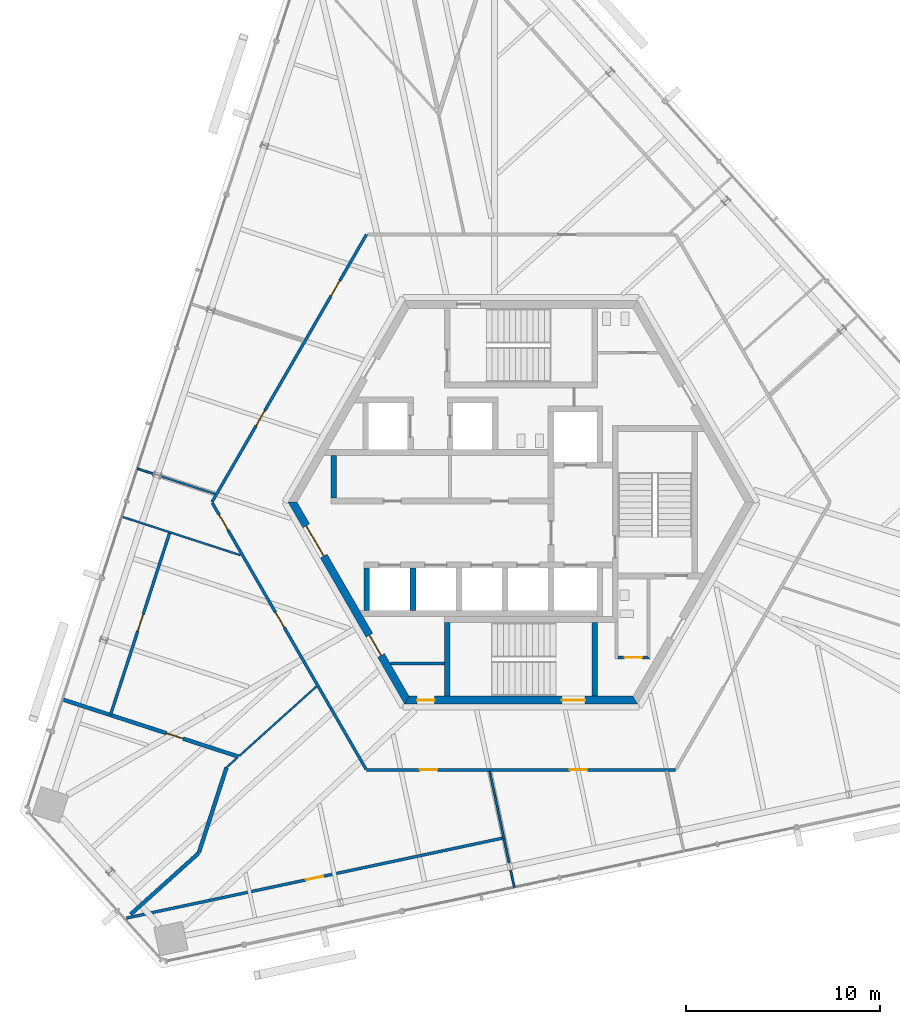
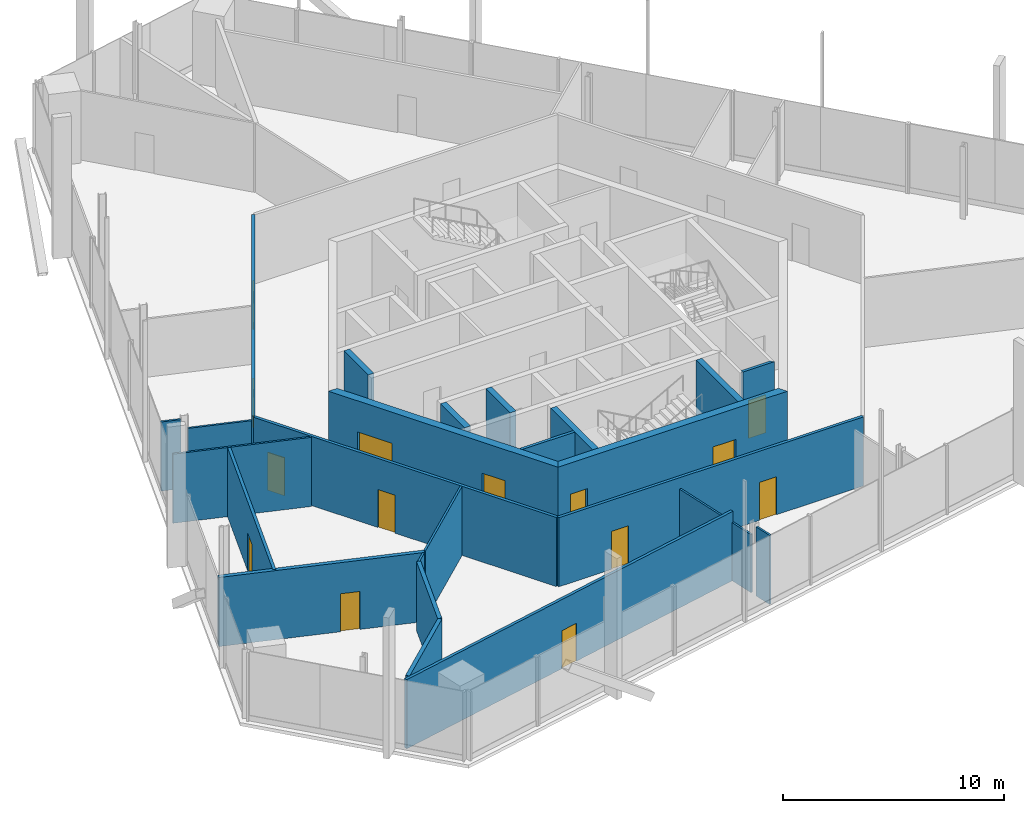
# One storey, part 10 of 17: 24 walls, 14 doors, 14 openings.
"""IFC4 building model written with IfcOpenShell, lengths in metres."""

from ifc_helpers import new_model, si_unit, direction, frame, frame_2d, origin, place, context, subcontext, project, spatial, polyline, rectangle, outline, extrude, source, transform, mapped, material, layer, layer_set, type_object, element, fill, save


model = new_model("IFC4")

# Units and contexts
model_context = context("Model", 3, precision=1e-05, world=origin(), true_north=direction((0.0, 1.0)))
body_context = subcontext(model_context, "Body", "Model", "MODEL_VIEW")
ifc_project = project(units=[si_unit("LENGTHUNIT", "METRE"), si_unit("AREAUNIT", "SQUARE_METRE"), si_unit("VOLUMEUNIT", "CUBIC_METRE"), si_unit("PLANEANGLEUNIT", "RADIAN"), si_unit("MASSUNIT", "GRAM", prefix="KILO")], contexts=[model_context])

# Site, building, storey
site_placement = place(None, origin())
site = spatial("IfcSite", under=ifc_project, at=site_placement, CompositionType="ELEMENT")
building_placement = place(site_placement, origin())
building = spatial("IfcBuilding", under=site, at=building_placement, Name="Triune Harvest Tower", CompositionType="ELEMENT")
storey_placement = place(building_placement, frame((0.0, 0.0, 288.699951171875)))
storey = spatial("IfcBuildingStorey", under=building, at=storey_placement, Name="L76", CompositionType="ELEMENT", Elevation=288.699951171875)

# Wall, openings, doors
ifc_material_1 = material(Name="Gypsum board on steel studs", Category="steel")
ifc_layer_1 = layer(ifc_material_1, 0.14990234375)
ifc_layer_set_1 = layer_set([ifc_layer_1], Name="Gypsum board on steel studs")
wall_type_1 = type_object("IfcWallType", Name="Fire Partition 150 mm", PredefinedType="PARTITIONING", material=ifc_layer_set_1)
wall_1_placement = place(storey_placement, frame((-15.90087890625, -0.043212890625, 0.0), z_axis=(0.0, 0.0, 1.0), x_axis=(0.499992468509, -0.866029752049, 0.0)))
wall_1 = element("IfcWall", 1, at=wall_1_placement, inside=storey, type_object=wall_type_1, Name="Partition L76 008", PredefinedType="PARTITIONING", context=body_context, shape_type="SweptSolid", body=[
    extrude(rectangle(XDim=15.836181640625, YDim=0.14990234375, at=frame_2d((7.91796875, 0.0))), origin(), (0.0, 0.0, 1.0), 3.820068359375),
])
opening_1_placement = place(wall_1_placement, frame((6.502197265625, 0.0, 0.0)))
opening_1 = element("IfcOpeningElement", 2, at=opening_1_placement, cuts=wall_1, Name="Opening L76-010", PredefinedType="OPENING", context=body_context, shape_type="SweptSolid", body=[
    extrude(rectangle(XDim=0.89990234375, YDim=2.10009765625, at=frame_2d((0.449951171875, 1.050048828125))), frame((0.0, 0.0849609375, 0.0), z_axis=(0.0, -1.0, 0.0), x_axis=(1.0, 0.0, 0.0)), (0.0, 0.0, 1.0), 0.169921875),
])
opening_2_placement = place(wall_1_placement, frame((0.699951171875, 0.0, 0.0)))
opening_2 = element("IfcOpeningElement", 3, at=opening_2_placement, cuts=wall_1, Name="Opening L76-012", PredefinedType="OPENING", context=body_context, shape_type="SweptSolid", body=[
    extrude(rectangle(XDim=0.89990234375, YDim=2.10009765625, at=frame_2d((0.449951171875, 1.050048828125))), frame((0.0, 0.0849609375, 0.0), z_axis=(0.0, -1.0, 0.0), x_axis=(1.0, 0.0, 0.0)), (0.0, 0.0, 1.0), 0.169921875),
])
ifc_material_2 = material(Name="Timber and steel door set", Category="steel")
door_type_1 = type_object("IfcDoorType", Name="Single leaf door FD30 right hand 900 x 2100", OperationType="SINGLE_SWING_RIGHT", PredefinedType="DOOR", material=ifc_material_2)
door_1_placement = place(opening_1_placement, origin())
door_1 = element("IfcDoor", 4, at=door_1_placement, inside=storey, type_object=door_type_1, Name="Door L76-010 Foyer Lounge Hall 76.10", OperationType="SINGLE_SWING_RIGHT", OverallHeight=2.10009765625, OverallWidth=0.89990234375, PredefinedType="DOOR", context=body_context, shape_type="SweptSolid", body=[
    extrude(rectangle(XDim=0.89990234375, YDim=2.10009765625, at=frame_2d((0.449951171875, 1.050048828125))), frame((0.0, 0.02490234375, 0.0), z_axis=(0.0, -1.0, 0.0), x_axis=(1.0, 0.0, 0.0)), (0.0, 0.0, 1.0), 0.050048828125),
])
fill(opening_1, door_1)
door_2_placement = place(opening_2_placement, origin())
door_2 = element("IfcDoor", 5, at=door_2_placement, inside=storey, type_object=door_type_1, Name="Door L76-012 Dry Store Room 76.12", OperationType="SINGLE_SWING_RIGHT", OverallHeight=2.10009765625, OverallWidth=0.89990234375, PredefinedType="DOOR", context=body_context, shape_type="SweptSolid", body=[
    extrude(rectangle(XDim=0.89990234375, YDim=2.10009765625, at=frame_2d((0.449951171875, 1.050048828125))), frame((0.0, 0.02490234375, 0.0), z_axis=(0.0, -1.0, 0.0), x_axis=(1.0, 0.0, 0.0)), (0.0, 0.0, 1.0), 0.050048828125),
])
fill(opening_2, door_2)

wall_2_placement = place(storey_placement, frame((-7.962890625, -13.792236328125, 0.0), z_axis=(0.0, 0.0, 1.0), x_axis=(1.0, 0.0, 0.0)))
wall_2 = element("IfcWall", 6, at=wall_2_placement, inside=storey, type_object=wall_type_1, Name="Partition L76 021", PredefinedType="PARTITIONING", context=body_context, shape_type="SweptSolid", body=[
    extrude(rectangle(XDim=15.92578125, YDim=0.14990234375, at=frame_2d((7.962890625, 0.0))), origin(), (0.0, 0.0, 1.0), 3.820068359375),
])
opening_3_placement = place(wall_2_placement, frame((2.75, 0.0, 0.0)))
opening_3 = element("IfcOpeningElement", 7, at=opening_3_placement, cuts=wall_2, Name="Opening L76-014", PredefinedType="OPENING", context=body_context, shape_type="SweptSolid", body=[
    extrude(rectangle(XDim=0.89990234375, YDim=2.10009765625, at=frame_2d((0.449951171875, 1.050048828125))), frame((0.0, 0.0849609375, 0.0), z_axis=(0.0, -1.0, 0.0), x_axis=(1.0, 0.0, 0.0)), (0.0, 0.0, 1.0), 0.169921875),
])
opening_4_placement = place(wall_2_placement, frame((10.48095703125, 0.0, 0.0)))
opening_4 = element("IfcOpeningElement", 8, at=opening_4_placement, cuts=wall_2, Name="Opening L76-016", PredefinedType="OPENING", context=body_context, shape_type="SweptSolid", body=[
    extrude(rectangle(XDim=0.89990234375, YDim=2.10009765625, at=frame_2d((0.449951171875, 1.050048828125))), frame((0.0, 0.0849609375, 0.0), z_axis=(0.0, -1.0, 0.0), x_axis=(1.0, 0.0, 0.0)), (0.0, 0.0, 1.0), 0.169921875),
])
ifc_material_3 = material(Name="Timber and steel door set", Category="steel")
door_type_2 = type_object("IfcDoorType", Name="Single leaf door FD30 left hand 900 x 2100", OperationType="SINGLE_SWING_LEFT", PredefinedType="DOOR", material=ifc_material_3)
door_3_placement = place(opening_4_placement, origin())
door_3 = element("IfcDoor", 9, at=door_3_placement, inside=storey, type_object=door_type_2, Name="Door L76-016 Event Store Room 76.16", OperationType="SINGLE_SWING_LEFT", OverallHeight=2.10009765625, OverallWidth=0.89990234375, PredefinedType="DOOR", context=body_context, shape_type="SweptSolid", body=[
    extrude(rectangle(XDim=0.89990234375, YDim=2.10009765625, at=frame_2d((0.449951171875, 1.050048828125))), frame((0.0, 0.02490234375, 0.0), z_axis=(0.0, -1.0, 0.0), x_axis=(1.0, 0.0, 0.0)), (0.0, 0.0, 1.0), 0.050048828125),
])
fill(opening_4, door_3)
door_4_placement = place(opening_3_placement, origin())
door_4 = element("IfcDoor", 10, at=door_4_placement, inside=storey, type_object=door_type_1, Name="Door L76-014 Foyer Lounge Hall 76.14", OperationType="SINGLE_SWING_RIGHT", OverallHeight=2.10009765625, OverallWidth=0.89990234375, PredefinedType="DOOR", context=body_context, shape_type="SweptSolid", body=[
    extrude(rectangle(XDim=0.89990234375, YDim=2.10009765625, at=frame_2d((0.449951171875, 1.050048828125))), frame((0.0, 0.02490234375, 0.0), z_axis=(0.0, -1.0, 0.0), x_axis=(1.0, 0.0, 0.0)), (0.0, 0.0, 1.0), 0.050048828125),
])
fill(opening_3, door_4)

# Wall, opening, door
wall_3_placement = place(storey_placement, frame((-20.326904296875, -21.42431640625, 0.0), z_axis=(0.0, 0.0, 1.0), x_axis=(0.97814751578, 0.207912090492, 0.0)))
wall_3 = element("IfcWall", 11, at=wall_3_placement, inside=storey, type_object=wall_type_1, Name="Partition L76 023", PredefinedType="PARTITIONING", context=body_context, shape_type="SweptSolid", body=[
    extrude(rectangle(XDim=19.873046875, YDim=0.14990234375, at=frame_2d((9.9365234375, 0.0))), origin(), (0.0, 0.0, 1.0), 3.820068359375),
])
opening_5_placement = place(wall_3_placement, frame((9.449951171875, 0.0, 0.0)))
opening_5 = element("IfcOpeningElement", 12, at=opening_5_placement, cuts=wall_3, Name="Opening L76-015", PredefinedType="OPENING", context=body_context, shape_type="SweptSolid", body=[
    extrude(rectangle(XDim=0.89990234375, YDim=2.10009765625, at=frame_2d((0.449951171875, 1.050048828125))), frame((0.0, 0.0849609375, 0.0), z_axis=(0.0, -1.0, 0.0), x_axis=(1.0, 0.0, 0.0)), (0.0, 0.0, 1.0), 0.169921875),
])
door_5_placement = place(opening_5_placement, origin())
door_5 = element("IfcDoor", 13, at=door_5_placement, inside=storey, type_object=door_type_1, Name="Door L76-015 Dry Store Room 76.15", OperationType="SINGLE_SWING_RIGHT", OverallHeight=2.10009765625, OverallWidth=0.89990234375, PredefinedType="DOOR", context=body_context, shape_type="SweptSolid", body=[
    extrude(rectangle(XDim=0.89990234375, YDim=2.10009765625, at=frame_2d((0.449951171875, 1.050048828125))), frame((0.0, 0.02490234375, 0.0), z_axis=(0.0, -1.0, 0.0), x_axis=(1.0, 0.0, 0.0)), (0.0, 0.0, 1.0), 0.050048828125),
])
fill(opening_5, door_5)

wall_4_placement = place(storey_placement, frame((-21.153076171875, -10.963134765625, 0.0), z_axis=(0.0, 0.0, 1.0), x_axis=(0.309019710385, 0.951055633806, 0.0)))
wall_4 = element("IfcWall", 14, at=wall_4_placement, inside=storey, type_object=wall_type_1, Name="Partition L76 036", PredefinedType="PARTITIONING", context=body_context, shape_type="SweptSolid", body=[
    extrude(rectangle(XDim=9.8994140625, YDim=0.14990234375, at=frame_2d((4.94970703125, 0.0))), origin(), (0.0, 0.0, 1.0), 3.820068359375),
])
opening_6_placement = place(wall_4_placement, frame((4.54931640625, 0.0, 0.0)))
opening_6 = element("IfcOpeningElement", 15, at=opening_6_placement, cuts=wall_4, Name="Opening L76-011", PredefinedType="OPENING", context=body_context, shape_type="SweptSolid", body=[
    extrude(rectangle(XDim=0.89990234375, YDim=2.10009765625, at=frame_2d((0.449951171875, 1.050048828125))), frame((0.0, 0.0849609375, 0.0), z_axis=(0.0, -1.0, 0.0), x_axis=(1.0, 0.0, 0.0)), (0.0, 0.0, 1.0), 0.169921875),
])
door_6_placement = place(opening_6_placement, origin())
door_6 = element("IfcDoor", 16, at=door_6_placement, inside=storey, type_object=door_type_1, Name="Door L76-011 Dry Store Room 76.11", OperationType="SINGLE_SWING_RIGHT", OverallHeight=2.10009765625, OverallWidth=0.89990234375, PredefinedType="DOOR", context=body_context, shape_type="SweptSolid", body=[
    extrude(rectangle(XDim=0.89990234375, YDim=2.10009765625, at=frame_2d((0.449951171875, 1.050048828125))), frame((0.0, 0.02490234375, 0.0), z_axis=(0.0, -1.0, 0.0), x_axis=(1.0, 0.0, 0.0)), (0.0, 0.0, 1.0), 0.050048828125),
])
fill(opening_6, door_6)

ifc_material_4 = material(Name="Gypsum board on steel studs", Category="steel")
ifc_layer_2 = layer(ifc_material_4, 0.199951171875)
ifc_layer_set_2 = layer_set([ifc_layer_2], Name="Gypsum board on steel studs")
wall_type_2 = type_object("IfcWallType", Name="Fire Wall 200 mm", PredefinedType="PARTITIONING", material=ifc_layer_set_2)
wall_5_placement = place(storey_placement, frame((-23.625732421875, -10.15966796875, 0.0), z_axis=(0.0, 0.0, 1.0), x_axis=(0.951049871329, -0.30903744473, 0.0)))
wall_5 = element("IfcWall", 17, at=wall_5_placement, inside=storey, type_object=wall_type_2, Name="Partition L76 013", PredefinedType="PARTITIONING", context=body_context, shape_type="SweptSolid", body=[
    extrude(rectangle(XDim=9.5361328125, YDim=0.199951171875, at=frame_2d((4.76806640625, 0.0))), origin(), (0.0, 0.0, 1.0), 3.820068359375),
])
opening_7_placement = place(wall_5_placement, frame((5.639892578125, 0.0, 0.0)))
opening_7 = element("IfcOpeningElement", 18, at=opening_7_placement, cuts=wall_5, Name="Opening L76-013", PredefinedType="OPENING", context=body_context, shape_type="SweptSolid", body=[
    extrude(rectangle(XDim=0.89990234375, YDim=2.10009765625, at=frame_2d((0.449951171875, 1.050048828125))), frame((0.0, 0.10986328125, 0.0), z_axis=(0.0, -1.0, 0.0), x_axis=(1.0, 0.0, 0.0)), (0.0, 0.0, 1.0), 0.219970703125),
])
ifc_material_5 = material(Name="Timber and steel door set", Category="steel")
door_type_3 = type_object("IfcDoorType", Name="Single leaf door FD60 left hand 900 x 2100", OperationType="SINGLE_SWING_LEFT", PredefinedType="DOOR", material=ifc_material_5)
door_7_placement = place(opening_7_placement, origin())
door_7 = element("IfcDoor", 19, at=door_7_placement, inside=storey, type_object=door_type_3, Name="Door L76-013 Electrical Room 76.13", OperationType="SINGLE_SWING_LEFT", OverallHeight=2.10009765625, OverallWidth=0.89990234375, PredefinedType="DOOR", context=body_context, shape_type="SweptSolid", body=[
    extrude(rectangle(XDim=0.89990234375, YDim=2.10009765625, at=frame_2d((0.449951171875, 1.050048828125))), frame((0.0, 0.02490234375, 0.0), z_axis=(0.0, -1.0, 0.0), x_axis=(1.0, 0.0, 0.0)), (0.0, 0.0, 1.0), 0.050048828125),
])
fill(opening_7, door_7)

# Walls
wall_6_placement = place(storey_placement, frame((-20.118896484375, -21.23681640625, 0.0), z_axis=(0.0, 0.0, 1.0), x_axis=(0.743160616826, 0.669113067873, 0.0)))
element("IfcWall", 20, at=wall_6_placement, inside=storey, type_object=wall_type_2, Name="Partition L76 026", PredefinedType="PARTITIONING", context=body_context, shape_type="SweptSolid", body=[
    extrude(rectangle(XDim=4.72802734375, YDim=0.199951171875, at=frame_2d((2.364013671875, 0.0))), origin(), (0.0, 0.0, 1.0), 3.820068359375),
])
wall_7_placement = place(storey_placement, frame((-16.595947265625, -18.044677734375, 0.0), z_axis=(0.0, 0.0, 1.0), x_axis=(0.309021405977, 0.951055082867, 0.0)))
element("IfcWall", 21, at=wall_7_placement, inside=storey, type_object=wall_type_2, Name="Partition L76 033", PredefinedType="PARTITIONING", context=body_context, shape_type="SweptSolid", body=[
    extrude(rectangle(XDim=4.60986328125, YDim=0.199951171875, at=frame_2d((2.304931640625, 0.0))), origin(), (0.0, 0.0, 1.0), 3.820068359375),
])
ifc_material_6 = material(Name="Gypsum board on steel studs", Category="steel")
ifc_layer_3 = layer(ifc_material_6, 0.10009765625)
ifc_layer_set_3 = layer_set([ifc_layer_3], Name="Gypsum board on steel studs")
wall_type_3 = type_object("IfcWallType", Name="Partition 100 mm", PredefinedType="PARTITIONING", material=ifc_layer_set_3)
wall_8_placement = place(storey_placement, frame((-20.566650390625, -0.744873046875, 0.0), z_axis=(0.0, 0.0, 1.0), x_axis=(0.951054457688, -0.309023330043, 0.0)))
element("IfcWall", 22, at=wall_8_placement, inside=storey, type_object=wall_type_3, Name="Partition L76 014", PredefinedType="PARTITIONING", context=body_context, shape_type="SweptSolid", body=[
    extrude(rectangle(XDim=6.423095703125, YDim=0.10009765625, at=frame_2d((3.21142578125, 0.0))), origin(), (0.0, 0.0, 1.0), 3.820068359375),
])
wall_9_placement = place(storey_placement, frame((-15.17138671875, -13.66015625, 0.0), z_axis=(0.0, 0.0, 1.0), x_axis=(0.743224871535, 0.66904169551, 0.0)))
element("IfcWall", 23, at=wall_9_placement, inside=storey, type_object=wall_type_3, Name="Partition L76 028", PredefinedType="PARTITIONING", context=body_context, shape_type="SweptSolid", body=[
    extrude(rectangle(XDim=0.700927734375, YDim=0.10009765625, at=frame_2d((0.3505859375, 0.0))), origin(), (0.0, 0.0, 1.0), 3.820068359375),
])
wall_10_placement = place(storey_placement, frame((-14.524169921875, -13.077392578125, 0.0), z_axis=(0.0, 0.0, 1.0), x_axis=(0.743163109495, 0.669110299342, 0.0)))
element("IfcWall", 24, at=wall_10_placement, inside=storey, type_object=wall_type_3, Name="Partition L76 029", PredefinedType="PARTITIONING", context=body_context, shape_type="SweptSolid", body=[
    extrude(rectangle(XDim=5.373779296875, YDim=0.10009765625, at=frame_2d((2.68701171875, 0.0))), origin(), (0.0, 0.0, 1.0), 3.820068359375),
])

# Wall, openings, doors
ifc_material_7 = material(Name="Concrete 70 MPa", Category="concrete")
ifc_layer_4 = layer(ifc_material_7, 0.39990234375)
ifc_layer_set_4 = layer_set([ifc_layer_4], Name="Concrete 70 MPa")
wall_type_4 = type_object("IfcWallType", Name="Core wall 400", PredefinedType="SHEAR", material=ifc_layer_set_4)
shared_shape_1 = source(origin(), body_context, "Body", "SweptSolid", [
    extrude(outline(polyline([(-0.115478515625, -0.199951171875), (11.884521484375, -0.199951171875), (11.653564453125, 0.199951171875), (0.115478515625, 0.199951171875), (-0.115478515625, -0.199951171875)])), origin(), (0.0, 0.0, 1.0), 3.820068359375),
])
wall_11_placement = place(storey_placement, frame((-11.76904296875, 0.0, 0.0), z_axis=(0.0, 0.0, 1.0), x_axis=(0.499996592174, -0.866027371285, 0.0)))
wall_11 = element("IfcWall", 25, at=wall_11_placement, inside=storey, type_object=wall_type_4, Name="Hexagon 3 wall", PredefinedType="SHEAR", context=body_context, shape_type="MappedRepresentation", body=[
    mapped(shared_shape_1, transform((0.0, 0.0, 0.0), scale=1.0)),
])
opening_8_placement = place(wall_11_placement, frame((1.404541015625, 0.0, 0.0)))
opening_8 = element("IfcOpeningElement", 26, at=opening_8_placement, cuts=wall_11, Name="Opening CD-LS", PredefinedType="OPENING", context=body_context, shape_type="SweptSolid", body=[
    extrude(rectangle(XDim=1.800048828125, YDim=2.10009765625, at=frame_2d((0.89990234375, 1.050048828125))), frame((0.0, 0.2099609375, 0.0), z_axis=(0.0, -1.0, 0.0), x_axis=(1.0, 0.0, 0.0)), (0.0, 0.0, 1.0), 0.419921875),
])
opening_9_placement = place(wall_11_placement, frame((7.91455078125, 0.0, 0.0)))
opening_9 = element("IfcOpeningElement", 27, at=opening_9_placement, cuts=wall_11, Name="Opening CD-SWP", PredefinedType="OPENING", context=body_context, shape_type="SweptSolid", body=[
    extrude(rectangle(XDim=1.199951171875, YDim=2.10009765625, at=frame_2d((0.60009765625, 1.050048828125))), frame((0.0, 0.2099609375, 0.0), z_axis=(0.0, -1.0, 0.0), x_axis=(1.0, 0.0, 0.0)), (0.0, 0.0, 1.0), 0.419921875),
])
ifc_material_8 = material(Name="Steel S235", Category="steel")
door_type_4 = type_object("IfcDoorType", Name="Lobby door 1800 FD120", OperationType="DOUBLE_DOOR_DOUBLE_SWING", PredefinedType="DOOR", material=ifc_material_8)
door_8_placement = place(opening_8_placement, frame((1.800048828125, 0.0, 0.0), z_axis=(0.0, 0.0, 1.0), x_axis=(-1.0, 0.0, 0.0)))
door_8 = element("IfcDoor", 28, at=door_8_placement, inside=storey, type_object=door_type_4, Name="Door CD-LS", OperationType="DOUBLE_DOOR_DOUBLE_SWING", OverallHeight=2.10009765625, OverallWidth=1.800048828125, PredefinedType="DOOR", context=body_context, shape_type="SweptSolid", body=[
    extrude(rectangle(XDim=1.800048828125, YDim=2.10009765625, at=frame_2d((0.89990234375, 1.050048828125))), frame((0.0, 0.02490234375, 0.0), z_axis=(0.0, -1.0, 0.0), x_axis=(1.0, 0.0, 0.0)), (0.0, 0.0, 1.0), 0.050048828125),
])
fill(opening_8, door_8)
ifc_material_9 = material(Name="Steel S235", Category="steel")
door_type_5 = type_object("IfcDoorType", Name="Service door 1200 FD120", OperationType="SINGLE_SWING_LEFT", PredefinedType="DOOR", material=ifc_material_9)
door_9_placement = place(opening_9_placement, frame((1.199951171875, 0.0, 0.0), z_axis=(0.0, 0.0, 1.0), x_axis=(-1.0, 0.0, 0.0)))
door_9 = element("IfcDoor", 29, at=door_9_placement, inside=storey, type_object=door_type_5, Name="Door CD-SWP", OperationType="SINGLE_SWING_RIGHT", OverallHeight=2.10009765625, OverallWidth=1.199951171875, PredefinedType="DOOR", context=body_context, shape_type="SweptSolid", body=[
    extrude(rectangle(XDim=1.199951171875, YDim=2.10009765625, at=frame_2d((0.60009765625, 1.050048828125))), frame((0.0, 0.02490234375, 0.0), z_axis=(0.0, -1.0, 0.0), x_axis=(1.0, 0.0, 0.0)), (0.0, 0.0, 1.0), 0.050048828125),
])
fill(opening_9, door_9)

wall_12_placement = place(storey_placement, frame((-5.884521484375, -10.1923828125, 0.0), z_axis=(0.0, 0.0, 1.0), x_axis=(1.0, 0.0, 0.0)))
wall_12 = element("IfcWall", 30, at=wall_12_placement, inside=storey, type_object=wall_type_4, Name="Hexagon 4 wall", PredefinedType="SHEAR", context=body_context, shape_type="MappedRepresentation", body=[
    mapped(shared_shape_1, transform((0.0, 0.0, 0.0), scale=1.0)),
])
opening_10_placement = place(wall_12_placement, frame((7.984619140625, 0.0, 0.0)))
opening_10 = element("IfcOpeningElement", 31, at=opening_10_placement, cuts=wall_12, Name="Opening CD-S2P", PredefinedType="OPENING", context=body_context, shape_type="SweptSolid", body=[
    extrude(rectangle(XDim=1.199951171875, YDim=2.10009765625, at=frame_2d((0.60009765625, 1.050048828125))), frame((0.0, 0.2099609375, 0.0), z_axis=(0.0, -1.0, 0.0), x_axis=(1.0, 0.0, 0.0)), (0.0, 0.0, 1.0), 0.419921875),
])
opening_11_placement = place(wall_12_placement, frame((0.534423828125, 0.0, 0.0)))
opening_11 = element("IfcOpeningElement", 32, at=opening_11_placement, cuts=wall_12, Name="Opening CD-SWS", PredefinedType="OPENING", context=body_context, shape_type="SweptSolid", body=[
    extrude(rectangle(XDim=0.89990234375, YDim=2.10009765625, at=frame_2d((0.449951171875, 1.050048828125))), frame((0.0, 0.2099609375, 0.0), z_axis=(0.0, -1.0, 0.0), x_axis=(1.0, 0.0, 0.0)), (0.0, 0.0, 1.0), 0.419921875),
])
ifc_material_10 = material(Name="Steel S235", Category="steel")
door_type_6 = type_object("IfcDoorType", Name="Riser door 900 FD120", OperationType="SINGLE_SWING_LEFT", PredefinedType="DOOR", material=ifc_material_10)
door_10_placement = place(opening_11_placement, frame((0.89990234375, 0.0, 0.0), z_axis=(0.0, 0.0, 1.0), x_axis=(-1.0, 0.0, 0.0)))
door_10 = element("IfcDoor", 33, at=door_10_placement, inside=storey, type_object=door_type_6, Name="Door CD-SWS", OperationType="SINGLE_SWING_RIGHT", OverallHeight=2.10009765625, OverallWidth=0.89990234375, PredefinedType="DOOR", context=body_context, shape_type="SweptSolid", body=[
    extrude(rectangle(XDim=0.89990234375, YDim=2.10009765625, at=frame_2d((0.449951171875, 1.050048828125))), frame((0.0, 0.02490234375, 0.0), z_axis=(0.0, -1.0, 0.0), x_axis=(1.0, 0.0, 0.0)), (0.0, 0.0, 1.0), 0.050048828125),
])
fill(opening_11, door_10)
ifc_material_11 = material(Name="Steel S235", Category="steel")
door_type_7 = type_object("IfcDoorType", Name="Stair door 1200 FD120", OperationType="SINGLE_SWING_LEFT", PredefinedType="DOOR", material=ifc_material_11)
door_11_placement = place(opening_10_placement, frame((1.199951171875, 0.0, 0.0), z_axis=(0.0, 0.0, 1.0), x_axis=(-1.0, 0.0, 0.0)))
door_11 = element("IfcDoor", 34, at=door_11_placement, inside=storey, type_object=door_type_7, Name="Door CD-S2P", OperationType="SINGLE_SWING_RIGHT", OverallHeight=2.10009765625, OverallWidth=1.199951171875, PredefinedType="DOOR", context=body_context, shape_type="SweptSolid", body=[
    extrude(rectangle(XDim=1.199951171875, YDim=2.10009765625, at=frame_2d((0.60009765625, 1.050048828125))), frame((0.0, 0.02490234375, 0.0), z_axis=(0.0, -1.0, 0.0), x_axis=(1.0, 0.0, 0.0)), (0.0, 0.0, 1.0), 0.050048828125),
])
fill(opening_10, door_11)

# Walls
ifc_material_12 = material(Name="Concrete 70 MPa", Category="concrete")
ifc_layer_5 = layer(ifc_material_12, 0.300048828125)
ifc_layer_set_5 = layer_set([ifc_layer_5], Name="Concrete 70 MPa")
wall_type_5 = type_object("IfcWallType", Name="Core wall 300", PredefinedType="SHEAR", material=ifc_layer_set_5)
shared_shape_2 = source(origin(), body_context, "Body", "SweptSolid", [
    extrude(rectangle(XDim=2.2001953125, YDim=0.300048828125, at=frame_2d((1.10009765625, 0.0))), origin(), (0.0, 0.0, 1.0), 3.820068359375),
])
for number, where, z_axis, x_axis, name in (
    (35, (-7.949951171875, -5.590087890625, 0.0), (0.0, 0.0, 1.0), (0.0, 1.0, 0.0), "South end west wall"),
    (36, (-5.574951171875, -5.590087890625, 0.0), (0.0, 0.0, 1.0), (0.0, 1.0, 0.0), "South cross 1 wall"),
):
    element("IfcWall", number, at=place(storey_placement, frame(where, z_axis=z_axis, x_axis=x_axis)), inside=storey, type_object=wall_type_5, Name=name, PredefinedType="SHEAR", context=body_context, shape_type="MappedRepresentation", body=[
        mapped(shared_shape_2, transform((0.0, 0.0, 0.0), scale=1.0)),
    ])
shared_shape_3 = source(origin(), body_context, "Body", "SweptSolid", [
    extrude(rectangle(XDim=2.199951171875, YDim=0.300048828125, at=frame_2d((1.10009765625, 0.0))), origin(), (0.0, 0.0, 1.0), 3.820068359375),
])
wall_13_placement = place(storey_placement, frame((-9.64990234375, 0.2099609375, 0.0), z_axis=(0.0, 0.0, 1.0), x_axis=(0.0, 1.0, 0.0)))
element("IfcWall", 37, at=wall_13_placement, inside=storey, type_object=wall_type_5, Name="North end west wall", PredefinedType="SHEAR", context=body_context, shape_type="MappedRepresentation", body=[
    mapped(shared_shape_3, transform((0.0, 0.0, 0.0), scale=1.0)),
])
shared_shape_4 = source(origin(), body_context, "Body", "SweptSolid", [
    extrude(outline(polyline([(3.800048828125, -0.14990234375), (-0.00439453125, -0.14990234375), (-0.00439453125, 0.14990234375), (3.800048828125, 0.14990234375), (3.800048828125, -0.14990234375)])), origin(), (0.0, 0.0, 1.0), 3.820068359375),
])
for number, where, z_axis, x_axis, name in (
    (38, (-3.800048828125, -9.989990234375, 0.0), (0.0, 0.0, 1.0), (0.0, 1.0, 0.0), "Stair s west wall"),
    (39, (3.800048828125, -9.989990234375, 0.0), (0.0, 0.0, 1.0), (0.0, 1.0, 0.0), "Stair s east wall"),
):
    element("IfcWall", number, at=place(storey_placement, frame(where, z_axis=z_axis, x_axis=x_axis)), inside=storey, type_object=wall_type_5, Name=name, PredefinedType="SHEAR", context=body_context, shape_type="MappedRepresentation", body=[
        mapped(shared_shape_4, transform((0.0, 0.0, 0.0), scale=1.0)),
    ])
ifc_material_13 = material(Name="Concrete masonry unit", Category="masonry")
ifc_layer_6 = layer(ifc_material_13, 0.14990234375)
ifc_layer_set_6 = layer_set([ifc_layer_6], Name="Concrete masonry unit")
wall_type_6 = type_object("IfcWallType", Name="Block partition 150", PredefinedType="PARTITIONING", material=ifc_layer_set_6)
shared_shape_5 = source(origin(), body_context, "Body", "SweptSolid", [
    extrude(rectangle(XDim=2.777099609375, YDim=0.14990234375, at=frame_2d((1.388671875, 0.0))), origin(), (0.0, 0.0, 1.0), 3.820068359375),
])
wall_14_placement = place(storey_placement, frame((-6.72705078125, -8.300048828125, 0.0), z_axis=(0.0, 0.0, 1.0), x_axis=(1.0, 0.0, 0.0)))
element("IfcWall", 40, at=wall_14_placement, inside=storey, type_object=wall_type_6, Name="Sw part wall", PredefinedType="PARTITIONING", context=body_context, shape_type="MappedRepresentation", body=[
    mapped(shared_shape_5, transform((0.0, 0.0, 0.0), scale=1.0)),
])

# Wall, opening, door
ifc_material_14 = material(Name="Concrete masonry unit", Category="masonry")
ifc_layer_7 = layer(ifc_material_14, 0.14990234375)
ifc_layer_set_7 = layer_set([ifc_layer_7], Name="Concrete masonry unit")
wall_type_7 = type_object("IfcWallType", Name="Block partition 150 unrated", PredefinedType="PARTITIONING", material=ifc_layer_set_7)
shared_shape_6 = source(origin(), body_context, "Body", "SweptSolid", [
    extrude(outline(polyline([(0.0, -0.074951171875), (1.64990234375, -0.074951171875), (1.5, 0.074951171875), (0.0, 0.074951171875), (0.0, -0.074951171875)])), origin(), (0.0, 0.0, 1.0), 3.820068359375),
])
wall_15_placement = place(storey_placement, frame((5.0, -8.0, 0.0), z_axis=(0.0, 0.0, 1.0), x_axis=(1.0, 0.0, 0.0)))
wall_15 = element("IfcWall", 41, at=wall_15_placement, inside=storey, type_object=wall_type_7, Name="Wc acc south wall", PredefinedType="PARTITIONING", context=body_context, shape_type="MappedRepresentation", body=[
    mapped(shared_shape_6, transform((0.0, 0.0, 0.0), scale=1.0)),
])
opening_12_placement = place(wall_15_placement, frame((0.33740234375, 0.0, 0.0)))
opening_12 = element("IfcOpeningElement", 42, at=opening_12_placement, cuts=wall_15, Name="Opening CD-WA", PredefinedType="OPENING", context=body_context, shape_type="SweptSolid", body=[
    extrude(rectangle(XDim=0.89990234375, YDim=2.10009765625, at=frame_2d((0.449951171875, 1.050048828125))), frame((0.0, 0.0849609375, 0.0), z_axis=(0.0, -1.0, 0.0), x_axis=(1.0, 0.0, 0.0)), (0.0, 0.0, 1.0), 0.169921875),
])
ifc_material_15 = material(Name="Timber C24", Category="wood")
door_type_8 = type_object("IfcDoorType", Name="WC door 900", OperationType="SINGLE_SWING_LEFT", PredefinedType="DOOR", material=ifc_material_15)
door_12_placement = place(opening_12_placement, origin())
door_12 = element("IfcDoor", 43, at=door_12_placement, inside=storey, type_object=door_type_8, Name="Door CD-WA", OperationType="SINGLE_SWING_LEFT", OverallHeight=2.10009765625, OverallWidth=0.89990234375, PredefinedType="DOOR", context=body_context, shape_type="SweptSolid", body=[
    extrude(rectangle(XDim=0.89990234375, YDim=2.10009765625, at=frame_2d((0.449951171875, 1.050048828125))), frame((0.0, 0.02490234375, 0.0), z_axis=(0.0, -1.0, 0.0), x_axis=(1.0, 0.0, 0.0)), (0.0, 0.0, 1.0), 0.050048828125),
])
fill(opening_12, door_12)

# Walls
shared_shape_7 = source(origin(), body_context, "Body", "SweptSolid", [
    extrude(rectangle(XDim=4.852294921875, YDim=0.10009765625, at=frame_2d((2.42626953125, 0.0))), origin(), (0.0, 0.0, 1.0), 3.207763671875),
])
wall_16_placement = place(storey_placement, frame((-1.617431640625, -13.86083984375, 0.0), z_axis=(0.0, 0.0, 1.0), x_axis=(0.207896665906, -0.978150794257, 0.0)))
element("IfcWall", 44, at=wall_16_placement, inside=storey, type_object=wall_type_3, Name="Partition L76 001", PredefinedType="PARTITIONING", context=body_context, shape_type="MappedRepresentation", body=[
    mapped(shared_shape_7, transform((0.0, 0.0, 0.0), scale=1.0)),
])
shared_shape_8 = source(origin(), body_context, "Body", "SweptSolid", [
    extrude(rectangle(XDim=0.91552734375, YDim=0.10009765625, at=frame_2d((0.457763671875, 0.0))), origin(), (0.0, 0.0, 1.0), 3.820068359375),
])
wall_17_placement = place(storey_placement, frame((-0.537841796875, -18.940185546875, 0.0), z_axis=(0.0, 0.0, 1.0), x_axis=(0.207743933161, -0.978183243689, 0.0)))
element("IfcWall", 45, at=wall_17_placement, inside=storey, type_object=wall_type_3, Name="Partition L76 002", PredefinedType="PARTITIONING", context=body_context, shape_type="MappedRepresentation", body=[
    mapped(shared_shape_8, transform((0.0, 0.0, 0.0), scale=1.0)),
])
shared_shape_9 = source(origin(), body_context, "Body", "SweptSolid", [
    extrude(rectangle(XDim=2.95458984375, YDim=0.10009765625, at=frame_2d((1.477294921875, 0.0))), origin(), (0.0, 0.0, 1.0), 3.283935546875),
])
wall_18_placement = place(storey_placement, frame((-18.56884765625, 1.339599609375, 0.0), z_axis=(0.0, 0.0, 1.0), x_axis=(0.951052283617, -0.309030020915, 0.0)))
element("IfcWall", 46, at=wall_18_placement, inside=storey, type_object=wall_type_3, Name="Partition L76 016", PredefinedType="PARTITIONING", context=body_context, shape_type="MappedRepresentation", body=[
    mapped(shared_shape_9, transform((0.0, 0.0, 0.0), scale=1.0)),
])

# Wall, openings, doors
shared_shape_10 = source(origin(), body_context, "Body", "SweptSolid", [
    extrude(rectangle(XDim=15.92626953125, YDim=0.14990234375, at=frame_2d((7.963134765625, 0.0))), origin(), (0.0, 0.0, 1.0), 3.820068359375),
])
wall_19_placement = place(storey_placement, frame((-15.92626953125, -0.000244140625, 0.0), z_axis=(0.0, 0.0, 1.0), x_axis=(0.500013496215, 0.866017611601, 0.0)))
wall_19 = element("IfcWall", 47, at=wall_19_placement, inside=storey, type_object=wall_type_1, Name="Partition L76 032", PredefinedType="PARTITIONING", context=body_context, shape_type="MappedRepresentation", body=[
    mapped(shared_shape_10, transform((0.0, 0.0, 0.0), scale=1.0)),
])
opening_13_placement = place(wall_19_placement, frame((12.2763671875, 0.0, 0.0)))
opening_13 = element("IfcOpeningElement", 48, at=opening_13_placement, cuts=wall_19, Name="Opening L76-008", PredefinedType="OPENING", context=body_context, shape_type="SweptSolid", body=[
    extrude(rectangle(XDim=0.89990234375, YDim=2.10009765625, at=frame_2d((0.449951171875, 1.050048828125))), frame((0.0, 0.0849609375, 0.0), z_axis=(0.0, -1.0, 0.0), x_axis=(1.0, 0.0, 0.0)), (0.0, 0.0, 1.0), 0.169921875),
])
opening_14_placement = place(wall_19_placement, frame((4.54541015625, 0.0, 0.0)))
opening_14 = element("IfcOpeningElement", 49, at=opening_14_placement, cuts=wall_19, Name="Opening L76-009", PredefinedType="OPENING", context=body_context, shape_type="SweptSolid", body=[
    extrude(rectangle(XDim=0.89990234375, YDim=2.10009765625, at=frame_2d((0.449951171875, 1.050048828125))), frame((0.0, 0.0849609375, 0.0), z_axis=(0.0, -1.0, 0.0), x_axis=(1.0, 0.0, 0.0)), (0.0, 0.0, 1.0), 0.169921875),
])
door_13_placement = place(opening_14_placement, origin())
door_13 = element("IfcDoor", 50, at=door_13_placement, inside=storey, type_object=door_type_2, Name="Door L76-009 Dry Store Room 76.09", OperationType="SINGLE_SWING_LEFT", OverallHeight=2.10009765625, OverallWidth=0.89990234375, PredefinedType="DOOR", context=body_context, shape_type="SweptSolid", body=[
    extrude(rectangle(XDim=0.89990234375, YDim=2.10009765625, at=frame_2d((0.449951171875, 1.050048828125))), frame((0.0, 0.02490234375, 0.0), z_axis=(0.0, -1.0, 0.0), x_axis=(1.0, 0.0, 0.0)), (0.0, 0.0, 1.0), 0.050048828125),
])
fill(opening_14, door_13)
door_14_placement = place(opening_13_placement, origin())
door_14 = element("IfcDoor", 51, at=door_14_placement, inside=storey, type_object=door_type_1, Name="Door L76-008 Event Store Room 76.08", OperationType="SINGLE_SWING_RIGHT", OverallHeight=2.10009765625, OverallWidth=0.89990234375, PredefinedType="DOOR", context=body_context, shape_type="SweptSolid", body=[
    extrude(rectangle(XDim=0.89990234375, YDim=2.10009765625, at=frame_2d((0.449951171875, 1.050048828125))), frame((0.0, 0.02490234375, 0.0), z_axis=(0.0, -1.0, 0.0), x_axis=(1.0, 0.0, 0.0)), (0.0, 0.0, 1.0), 0.050048828125),
])
fill(opening_13, door_14)

# Wall
shared_shape_11 = source(origin(), body_context, "Body", "SweptSolid", [
    extrude(rectangle(XDim=0.9150390625, YDim=0.10009765625, at=frame_2d((0.45751953125, 0.0))), origin(), (0.0, 0.0, 1.0), 3.820068359375),
])
wall_20_placement = place(storey_placement, frame((-19.76318359375, 1.727783203125, 0.0), z_axis=(0.0, 0.0, 1.0), x_axis=(0.95108307013, -0.308935258124, 0.0)))
element("IfcWall", 52, at=wall_20_placement, inside=storey, type_object=wall_type_3, Name="Partition L76 015", PredefinedType="PARTITIONING", context=body_context, shape_type="MappedRepresentation", body=[
    mapped(shared_shape_11, transform((0.0, 0.0, 0.0), scale=1.0)),
])

save(model, "model.ifc")
